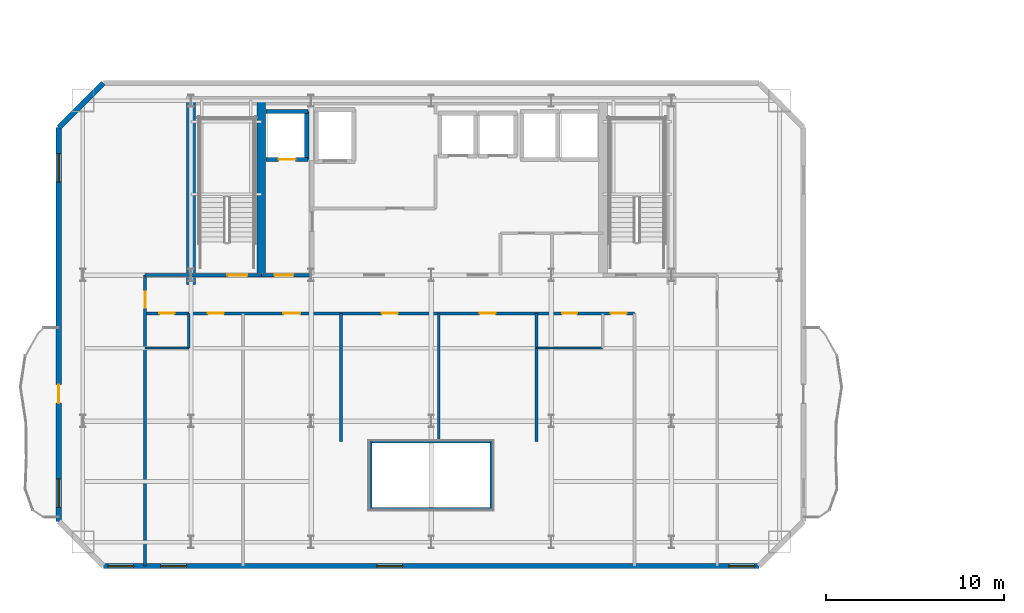
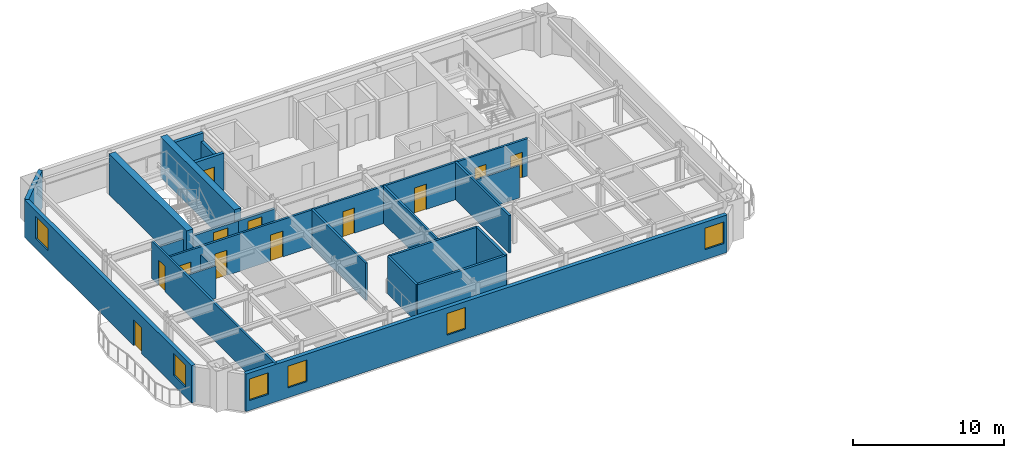
# One storey, part 5 of 13: 23 walls, 12 doors, 6 windows, 18 openings.
"""IFC4 building model written with IfcOpenShell, lengths in metres."""

from ifc_helpers import new_model, si_unit, direction, frame, frame_2d, origin, place, context, subcontext, project, spatial, rectangle, extrude, material, layer, layer_set, type_object, element, fill, save


model = new_model("IFC4")

# Units and contexts
model_context = context("Model", 3, precision=1e-05, world=origin(), true_north=direction((0.0, 1.0)))
body_context = subcontext(model_context, "Body", "Model", "MODEL_VIEW")
ifc_project = project(units=[si_unit("LENGTHUNIT", "METRE"), si_unit("AREAUNIT", "SQUARE_METRE"), si_unit("VOLUMEUNIT", "CUBIC_METRE"), si_unit("PLANEANGLEUNIT", "RADIAN"), si_unit("MASSUNIT", "GRAM", prefix="KILO")], contexts=[model_context])

# Site, building, storey
site_placement = place(None, origin())
site = spatial("IfcSite", under=ifc_project, at=site_placement, CompositionType="ELEMENT")
building_placement = place(site_placement, origin())
building = spatial("IfcBuilding", under=site, at=building_placement, Name="Haevon Station Towers", CompositionType="ELEMENT")
storey_placement = place(building_placement, frame((0.0, 0.0, 159.300048828125)))
storey = spatial("IfcBuildingStorey", under=building, at=storey_placement, Name="L43", CompositionType="ELEMENT", Elevation=159.300048828125)

# Walls
ifc_material_1 = material(Name="Gypsum board on steel stud", Category="steel")
ifc_layer_1 = layer(ifc_material_1, 0.179931640625)
ifc_layer_set_1 = layer_set([ifc_layer_1], Name="Gypsum board on steel stud")
wall_type_1 = type_object("IfcWallType", Name="WL-ACU180", PredefinedType="PARTITIONING", material=ifc_layer_set_1)
wall_1_placement = place(storey_placement, frame((34.10009765625, 25.050048828125, 0.0), z_axis=(0.0, 0.0, 1.0), x_axis=(1.0, 0.0, 0.0)))
element("IfcWall", 1, at=wall_1_placement, inside=storey, type_object=wall_type_1, Name="WL-T1PT-L43-06", PredefinedType="PARTITIONING", context=body_context, shape_type="SweptSolid", body=[
    extrude(rectangle(XDim=6.7998046875, YDim=0.179931640625, at=frame_2d((3.39990234375, 0.0))), origin(), (0.0, 0.0, 1.0), 3.030029296875),
])
wall_2_placement = place(storey_placement, frame((40.89990234375, 25.050048828125, 0.0), z_axis=(0.0, 0.0, 1.0), x_axis=(0.0, 1.0, 0.0)))
element("IfcWall", 2, at=wall_2_placement, inside=storey, type_object=wall_type_1, Name="WL-T1PT-L43-09", PredefinedType="PARTITIONING", context=body_context, shape_type="SweptSolid", body=[
    extrude(rectangle(XDim=3.800048828125, YDim=0.179931640625, at=frame_2d((1.89990234375, 0.0))), origin(), (0.0, 0.0, 1.0), 3.030029296875),
])

# Wall, opening, door
ifc_layer_2 = layer(ifc_material_1, 0.199951171875)
ifc_layer_set_2 = layer_set([ifc_layer_2], Name="Gypsum board on steel stud")
wall_type_2 = type_object("IfcWallType", Name="WL-COR200", PredefinedType="PARTITIONING", material=ifc_layer_set_2)
wall_3_placement = place(storey_placement, frame((24.0, 38.199951171875, 0.0), z_axis=(0.0, 0.0, 1.0), x_axis=(1.0, 0.0, 0.0)))
wall_3 = element("IfcWall", 3, at=wall_3_placement, inside=storey, type_object=wall_type_2, Name="WL-ST-ST1-L43", PredefinedType="PARTITIONING", context=body_context, shape_type="SweptSolid", body=[
    extrude(rectangle(XDim=3.949951171875, YDim=0.199951171875, at=frame_2d((1.97509765625, 0.0))), origin(), (0.0, 0.0, 1.0), 2.3798828125),
])
opening_1_placement = place(wall_3_placement, frame((2.050048828125, 0.0, 0.0)))
opening_1 = element("IfcOpeningElement", 4, at=opening_1_placement, cuts=wall_3, Name="Opening DR-ST-ST1-L43", PredefinedType="OPENING", context=body_context, shape_type="SweptSolid", body=[
    extrude(rectangle(XDim=1.1201171875, YDim=2.10009765625, at=frame_2d((0.56005859375, 1.050048828125))), frame((0.0, 0.10986328125, 0.0), z_axis=(0.0, -1.0, 0.0), x_axis=(1.0, 0.0, 0.0)), (0.0, 0.0, 1.0), 0.219970703125),
])
ifc_material_2 = material(Name="Engineered oak timber", Category="wood")
door_type_1 = type_object("IfcDoorType", Name="DR-ST-1120", OperationType="NOTDEFINED", PredefinedType="DOOR", material=ifc_material_2)
door_1_placement = place(opening_1_placement, origin())
door_1 = element("IfcDoor", 5, at=door_1_placement, inside=storey, type_object=door_type_1, Name="L43 Escape Stair ST1 Fire Door", OperationType="SINGLE_SWING_LEFT", OverallHeight=2.10009765625, OverallWidth=1.1201171875, PredefinedType="DOOR", context=body_context, shape_type="SweptSolid", body=[
    extrude(rectangle(XDim=1.1201171875, YDim=2.10009765625, at=frame_2d((0.56005859375, 1.050048828125))), frame((0.0, 0.02490234375, 0.0), z_axis=(0.0, -1.0, 0.0), x_axis=(1.0, 0.0, 0.0)), (0.0, 0.0, 1.0), 0.050048828125),
])
fill(opening_1, door_1)

wall_4_placement = place(storey_placement, frame((27.949951171875, 38.199951171875, 0.0), z_axis=(0.0, 0.0, 1.0), x_axis=(1.0, 0.0, 0.0)))
wall_4 = element("IfcWall", 6, at=wall_4_placement, inside=storey, type_object=wall_type_2, Name="WL-T1FFL-L43-S", PredefinedType="PARTITIONING", context=body_context, shape_type="SweptSolid", body=[
    extrude(rectangle(XDim=2.85009765625, YDim=0.199951171875, at=frame_2d((1.425048828125, 0.0))), origin(), (0.0, 0.0, 1.0), 2.3798828125),
])
opening_2_placement = place(wall_4_placement, frame((0.75, 0.0, 0.0)))
opening_2 = element("IfcOpeningElement", 7, at=opening_2_placement, cuts=wall_4, Name="Opening DR-T1FFL-L43-S", PredefinedType="OPENING", context=body_context, shape_type="SweptSolid", body=[
    extrude(rectangle(XDim=1.050048828125, YDim=2.10009765625, at=frame_2d((0.52490234375, 1.050048828125))), frame((0.0, 0.10986328125, 0.0), z_axis=(0.0, -1.0, 0.0), x_axis=(1.0, 0.0, 0.0)), (0.0, 0.0, 1.0), 0.219970703125),
])
door_type_2 = type_object("IfcDoorType", Name="DR-FD60-1050", OperationType="NOTDEFINED", PredefinedType="DOOR", material=ifc_material_2)
door_2_placement = place(opening_2_placement, origin())
door_2 = element("IfcDoor", 8, at=door_2_placement, inside=storey, type_object=door_type_2, Name="L43 Tower 1 Firefighting Lift Lobby Door S", OperationType="SINGLE_SWING_RIGHT", OverallHeight=2.10009765625, OverallWidth=1.050048828125, PredefinedType="DOOR", context=body_context, shape_type="SweptSolid", body=[
    extrude(rectangle(XDim=1.050048828125, YDim=2.10009765625, at=frame_2d((0.52490234375, 1.050048828125))), frame((0.0, 0.02490234375, 0.0), z_axis=(0.0, -1.0, 0.0), x_axis=(1.0, 0.0, 0.0)), (0.0, 0.0, 1.0), 0.050048828125),
])
fill(opening_2, door_2)

# Walls
ifc_material_3 = material(Name="Concrete C60/75", Category="concrete")
ifc_layer_3 = layer(ifc_material_3, 0.5)
ifc_layer_set_3 = layer_set([ifc_layer_3], Name="Concrete C60/75")
wall_type_3 = type_object("IfcWallType", Name="WL-CR500", PredefinedType="SHEAR", material=ifc_layer_set_3)
wall_5_placement = place(storey_placement, frame((24.0, 37.679931640625, 0.0), z_axis=(0.0, 0.0, 1.0), x_axis=(0.0, 1.0, 0.0)))
element("IfcWall", 9, at=wall_5_placement, inside=storey, type_object=wall_type_3, Name="WL-T1CR-L43-W", PredefinedType="SHEAR", context=body_context, shape_type="SweptSolid", body=[
    extrude(rectangle(XDim=10.320068359375, YDim=0.5, at=frame_2d((5.16015625, 0.0))), origin(), (0.0, 0.0, 1.0), 3.300048828125),
])
wall_6_placement = place(storey_placement, frame((27.949951171875, 38.199951171875, 0.0), z_axis=(0.0, 0.0, 1.0), x_axis=(0.0, 1.0, 0.0)))
element("IfcWall", 10, at=wall_6_placement, inside=storey, type_object=wall_type_3, Name="WL-T1CR-L43-M1", PredefinedType="SHEAR", context=body_context, shape_type="SweptSolid", body=[
    extrude(rectangle(XDim=9.800048828125, YDim=0.5, at=frame_2d((4.89990234375, 0.0))), origin(), (0.0, 0.0, 1.0), 3.300048828125),
])

# Wall, openings, windows
ifc_material_4 = material(Name="Precast concrete C45/55", Category="concrete")
ifc_layer_4 = layer(ifc_material_4, 0.300048828125)
ifc_layer_set_4 = layer_set([ifc_layer_4], Name="Precast concrete C45/55")
wall_type_4 = type_object("IfcWallType", Name="WL-EXT-PIER300", PredefinedType="SOLIDWALL", material=ifc_layer_set_4)
wall_7_placement = place(storey_placement, frame((55.925048828125, 21.85009765625, 0.0), z_axis=(0.0, 0.0, 1.0), x_axis=(-1.0, 0.0, 0.0)))
wall_7 = element("IfcWall", 11, at=wall_7_placement, inside=storey, type_object=wall_type_4, Name="WL-T1-L43-S", PredefinedType="SOLIDWALL", context=body_context, shape_type="SweptSolid", body=[
    extrude(rectangle(XDim=36.85009765625, YDim=0.300048828125, at=frame_2d((18.425048828125, 0.0))), origin(), (0.0, 0.0, 1.0), 3.030029296875),
])
opening_3_placement = place(wall_7_placement, frame((35.14990234375, 0.0, 0.800048828125)))
opening_3 = element("IfcOpeningElement", 12, at=opening_3_placement, cuts=wall_7, Name="Opening WN-P145", PredefinedType="OPENING", context=body_context, shape_type="SweptSolid", body=[
    extrude(rectangle(XDim=1.449951171875, YDim=1.75, at=frame_2d((0.72509765625, 0.875))), frame((0.0, 0.159912109375, 0.0), z_axis=(0.0, -1.0, 0.0), x_axis=(1.0, 0.0, 0.0)), (0.0, 0.0, 1.0), 0.320068359375),
])
opening_4_placement = place(wall_7_placement, frame((0.25, 0.0, 0.800048828125)))
opening_4 = element("IfcOpeningElement", 13, at=opening_4_placement, cuts=wall_7, Name="Opening WN-P145", PredefinedType="OPENING", context=body_context, shape_type="SweptSolid", body=[
    extrude(rectangle(XDim=1.449951171875, YDim=1.75, at=frame_2d((0.72509765625, 0.875))), frame((0.0, 0.159912109375, 0.0), z_axis=(0.0, -1.0, 0.0), x_axis=(1.0, 0.0, 0.0)), (0.0, 0.0, 1.0), 0.320068359375),
])
opening_5_placement = place(wall_7_placement, frame((32.176513671875, 0.0, 0.800048828125)))
opening_5 = element("IfcOpeningElement", 14, at=opening_5_placement, cuts=wall_7, Name="Opening WN-P145", PredefinedType="OPENING", context=body_context, shape_type="SweptSolid", body=[
    extrude(rectangle(XDim=1.449951171875, YDim=1.75, at=frame_2d((0.72509765625, 0.875))), frame((0.0, 0.159912109375, 0.0), z_axis=(0.0, -1.0, 0.0), x_axis=(1.0, 0.0, 0.0)), (0.0, 0.0, 1.0), 0.320068359375),
])
opening_6_placement = place(wall_7_placement, frame((20.027587890625, 0.0, 0.800048828125)))
opening_6 = element("IfcOpeningElement", 15, at=opening_6_placement, cuts=wall_7, Name="Opening WN-P145", PredefinedType="OPENING", context=body_context, shape_type="SweptSolid", body=[
    extrude(rectangle(XDim=1.449951171875, YDim=1.75, at=frame_2d((0.72509765625, 0.875))), frame((0.0, 0.159912109375, 0.0), z_axis=(0.0, -1.0, 0.0), x_axis=(1.0, 0.0, 0.0)), (0.0, 0.0, 1.0), 0.320068359375),
])
ifc_material_5 = material(Name="Low-E triple glazing in thermally broken aluminium", Category="aluminium")
window_type_1 = type_object("IfcWindowType", Name="WN-P145", PartitioningType="SINGLE_PANEL", PredefinedType="WINDOW", material=ifc_material_5)
window_1_placement = place(opening_3_placement, origin())
window_1 = element("IfcWindow", 16, at=window_1_placement, inside=storey, type_object=window_type_1, Name="WN-T1-L43-S01", OverallHeight=1.75, OverallWidth=1.449951171875, PartitioningType="SINGLE_PANEL", PredefinedType="WINDOW", context=body_context, shape_type="SweptSolid", body=[
    extrude(rectangle(XDim=1.449951171875, YDim=1.75, at=frame_2d((0.72509765625, 0.875))), frame((0.0, 0.030029296875, 0.0), z_axis=(0.0, -1.0, 0.0), x_axis=(1.0, 0.0, 0.0)), (0.0, 0.0, 1.0), 0.06005859375),
])
fill(opening_3, window_1)
window_2_placement = place(opening_4_placement, origin())
window_2 = element("IfcWindow", 17, at=window_2_placement, inside=storey, type_object=window_type_1, Name="WN-T1-L43-S02", OverallHeight=1.75, OverallWidth=1.449951171875, PartitioningType="SINGLE_PANEL", PredefinedType="WINDOW", context=body_context, shape_type="SweptSolid", body=[
    extrude(rectangle(XDim=1.449951171875, YDim=1.75, at=frame_2d((0.72509765625, 0.875))), frame((0.0, 0.030029296875, 0.0), z_axis=(0.0, -1.0, 0.0), x_axis=(1.0, 0.0, 0.0)), (0.0, 0.0, 1.0), 0.06005859375),
])
fill(opening_4, window_2)
window_3_placement = place(opening_5_placement, origin())
window_3 = element("IfcWindow", 18, at=window_3_placement, inside=storey, type_object=window_type_1, Name="WN-T1-L43-S03", OverallHeight=1.75, OverallWidth=1.449951171875, PartitioningType="SINGLE_PANEL", PredefinedType="WINDOW", context=body_context, shape_type="SweptSolid", body=[
    extrude(rectangle(XDim=1.449951171875, YDim=1.75, at=frame_2d((0.72509765625, 0.875))), frame((0.0, 0.030029296875, 0.0), z_axis=(0.0, -1.0, 0.0), x_axis=(1.0, 0.0, 0.0)), (0.0, 0.0, 1.0), 0.06005859375),
])
fill(opening_5, window_3)
window_4_placement = place(opening_6_placement, origin())
window_4 = element("IfcWindow", 19, at=window_4_placement, inside=storey, type_object=window_type_1, Name="WN-T1-L43-S04", OverallHeight=1.75, OverallWidth=1.449951171875, PartitioningType="SINGLE_PANEL", PredefinedType="WINDOW", context=body_context, shape_type="SweptSolid", body=[
    extrude(rectangle(XDim=1.449951171875, YDim=1.75, at=frame_2d((0.72509765625, 0.875))), frame((0.0, 0.030029296875, 0.0), z_axis=(0.0, -1.0, 0.0), x_axis=(1.0, 0.0, 0.0)), (0.0, 0.0, 1.0), 0.06005859375),
])
fill(opening_6, window_4)

# Wall, openings, door, windows
wall_8_placement = place(storey_placement, frame((16.574951171875, 24.35009765625, 0.0), z_axis=(0.0, 0.0, 1.0), x_axis=(0.0, 1.0, 0.0)))
wall_8 = element("IfcWall", 20, at=wall_8_placement, inside=storey, type_object=wall_type_4, Name="WL-T1-L43-W", PredefinedType="SOLIDWALL", context=body_context, shape_type="SweptSolid", body=[
    extrude(rectangle(XDim=22.14990234375, YDim=0.300048828125, at=frame_2d((11.074951171875, 0.0))), origin(), (0.0, 0.0, 1.0), 3.030029296875),
])
opening_7_placement = place(wall_8_placement, frame((6.64990234375, 0.0, 0.0)))
opening_7 = element("IfcOpeningElement", 21, at=opening_7_placement, cuts=wall_8, Name="Opening DR-T1-SCAL-L43-W", PredefinedType="OPENING", context=body_context, shape_type="SweptSolid", body=[
    extrude(rectangle(XDim=1.050048828125, YDim=2.10009765625, at=frame_2d((0.52490234375, 1.050048828125))), frame((0.0, 0.159912109375, 0.0), z_axis=(0.0, -1.0, 0.0), x_axis=(1.0, 0.0, 0.0)), (0.0, 0.0, 1.0), 0.320068359375),
])
opening_8_placement = place(wall_8_placement, frame((0.800048828125, 0.0, 0.800048828125)))
opening_8 = element("IfcOpeningElement", 22, at=opening_8_placement, cuts=wall_8, Name="Opening WN-END160", PredefinedType="OPENING", context=body_context, shape_type="SweptSolid", body=[
    extrude(rectangle(XDim=1.60009765625, YDim=1.800048828125, at=frame_2d((0.800048828125, 0.89990234375))), frame((0.0, 0.159912109375, 0.0), z_axis=(0.0, -1.0, 0.0), x_axis=(1.0, 0.0, 0.0)), (0.0, 0.0, 1.0), 0.320068359375),
])
opening_9_placement = place(wall_8_placement, frame((19.0732421875, 0.0, 0.800048828125)))
opening_9 = element("IfcOpeningElement", 23, at=opening_9_placement, cuts=wall_8, Name="Opening WN-END160", PredefinedType="OPENING", context=body_context, shape_type="SweptSolid", body=[
    extrude(rectangle(XDim=1.60009765625, YDim=1.800048828125, at=frame_2d((0.800048828125, 0.89990234375))), frame((0.0, 0.159912109375, 0.0), z_axis=(0.0, -1.0, 0.0), x_axis=(1.0, 0.0, 0.0)), (0.0, 0.0, 1.0), 0.320068359375),
])
ifc_material_6 = material(Name="Thermally broken anodised aluminium and laminated safety glass", Category="aluminium")
door_type_3 = type_object("IfcDoorType", Name="DR-BALC-1050", OperationType="NOTDEFINED", PredefinedType="DOOR", material=ifc_material_6)
door_3_placement = place(opening_7_placement, origin())
door_3 = element("IfcDoor", 24, at=door_3_placement, inside=storey, type_object=door_type_3, Name="Tower 1 L43 West Scalloped Balcony Door", OperationType="SINGLE_SWING_LEFT", OverallHeight=2.10009765625, OverallWidth=1.050048828125, PredefinedType="DOOR", context=body_context, shape_type="SweptSolid", body=[
    extrude(rectangle(XDim=1.050048828125, YDim=2.10009765625, at=frame_2d((0.52490234375, 1.050048828125))), frame((0.0, 0.02490234375, 0.0), z_axis=(0.0, -1.0, 0.0), x_axis=(1.0, 0.0, 0.0)), (0.0, 0.0, 1.0), 0.050048828125),
])
fill(opening_7, door_3)
window_type_2 = type_object("IfcWindowType", Name="WN-END160", PartitioningType="SINGLE_PANEL", PredefinedType="WINDOW", material=ifc_material_5)
window_5_placement = place(opening_8_placement, origin())
window_5 = element("IfcWindow", 25, at=window_5_placement, inside=storey, type_object=window_type_2, Name="WN-T1-L43-W01", OverallHeight=1.800048828125, OverallWidth=1.60009765625, PartitioningType="SINGLE_PANEL", PredefinedType="WINDOW", context=body_context, shape_type="SweptSolid", body=[
    extrude(rectangle(XDim=1.60009765625, YDim=1.800048828125, at=frame_2d((0.800048828125, 0.89990234375))), frame((0.0, 0.030029296875, 0.0), z_axis=(0.0, -1.0, 0.0), x_axis=(1.0, 0.0, 0.0)), (0.0, 0.0, 1.0), 0.06005859375),
])
fill(opening_8, window_5)
window_6_placement = place(opening_9_placement, origin())
window_6 = element("IfcWindow", 26, at=window_6_placement, inside=storey, type_object=window_type_2, Name="WN-T1-L43-W02", OverallHeight=1.800048828125, OverallWidth=1.60009765625, PartitioningType="SINGLE_PANEL", PredefinedType="WINDOW", context=body_context, shape_type="SweptSolid", body=[
    extrude(rectangle(XDim=1.60009765625, YDim=1.800048828125, at=frame_2d((0.800048828125, 0.89990234375))), frame((0.0, 0.030029296875, 0.0), z_axis=(0.0, -1.0, 0.0), x_axis=(1.0, 0.0, 0.0)), (0.0, 0.0, 1.0), 0.06005859375),
])
fill(opening_9, window_6)

# Walls
wall_9_placement = place(storey_placement, frame((16.574951171875, 46.5, 0.0), z_axis=(0.0, 0.0, 1.0), x_axis=(0.707106781187, 0.707106781187, 0.0)))
element("IfcWall", 27, at=wall_9_placement, inside=storey, type_object=wall_type_4, Name="WL-T1-L43-NWC", PredefinedType="SOLIDWALL", context=body_context, shape_type="SweptSolid", body=[
    extrude(rectangle(XDim=3.53564453125, YDim=0.300048828125, at=frame_2d((1.767822265625, 0.0))), origin(), (0.0, 0.0, 1.0), 3.030029296875),
])
ifc_layer_5 = layer(ifc_material_1, 0.125)
ifc_layer_set_5 = layer_set([ifc_layer_5], Name="Gypsum board on steel stud")
wall_type_5 = type_object("IfcWallType", Name="WL-PRT125", PredefinedType="PARTITIONING", material=ifc_layer_set_5)
wall_10_placement = place(storey_placement, frame((21.425048828125, 34.10009765625, 0.0), z_axis=(0.0, 0.0, 1.0), x_axis=(1.0, 0.0, 0.0)))
element("IfcWall", 28, at=wall_10_placement, inside=storey, type_object=wall_type_5, Name="WL-T1PT-L43-10", PredefinedType="PARTITIONING", context=body_context, shape_type="SweptSolid", body=[
    extrude(rectangle(XDim=2.449951171875, YDim=0.125, at=frame_2d((1.22509765625, 0.0))), origin(), (0.0, 0.0, 1.0), 2.6298828125),
])
wall_11_placement = place(storey_placement, frame((23.875, 34.10009765625, 0.0), z_axis=(0.0, 0.0, 1.0), x_axis=(0.0, 1.0, 0.0)))
element("IfcWall", 29, at=wall_11_placement, inside=storey, type_object=wall_type_5, Name="WL-T1PT-L43-11", PredefinedType="PARTITIONING", context=body_context, shape_type="SweptSolid", body=[
    extrude(rectangle(XDim=1.949951171875, YDim=0.125, at=frame_2d((0.97509765625, 0.0))), origin(), (0.0, 0.0, 1.0), 2.3798828125),
])
wall_12_placement = place(storey_placement, frame((43.4208984375, 34.10009765625, 0.0), z_axis=(0.0, 0.0, 1.0), x_axis=(1.0, 0.0, 0.0)))
element("IfcWall", 30, at=wall_12_placement, inside=storey, type_object=wall_type_5, Name="WL-T1PT-L43-18", PredefinedType="PARTITIONING", context=body_context, shape_type="SweptSolid", body=[
    extrude(rectangle(XDim=3.718994140625, YDim=0.125, at=frame_2d((1.859375, 0.0))), origin(), (0.0, 0.0, 1.0), 2.6298828125),
])
ifc_layer_6 = layer(ifc_material_1, 0.159912109375)
ifc_layer_set_6 = layer_set([ifc_layer_6], Name="Gypsum board on steel stud")
wall_type_6 = type_object("IfcWallType", Name="WL-PRT160", PredefinedType="PARTITIONING", material=ifc_layer_set_6)
wall_13_placement = place(storey_placement, frame((21.425048828125, 38.199951171875, 0.0), z_axis=(0.0, 0.0, 1.0), x_axis=(1.0, 0.0, 0.0)))
element("IfcWall", 31, at=wall_13_placement, inside=storey, type_object=wall_type_6, Name="WL-T1PT-L43-02", PredefinedType="PARTITIONING", context=body_context, shape_type="SweptSolid", body=[
    extrude(rectangle(XDim=2.574951171875, YDim=0.159912109375, at=frame_2d((1.28759765625, 0.0))), origin(), (0.0, 0.0, 1.0), 2.3798828125),
])

# Wall, opening, door
wall_14_placement = place(storey_placement, frame((21.425048828125, 21.85009765625, 0.0), z_axis=(0.0, 0.0, 1.0), x_axis=(0.0, 1.0, 0.0)))
wall_14 = element("IfcWall", 32, at=wall_14_placement, inside=storey, type_object=wall_type_6, Name="WL-T1PT-L43-04", PredefinedType="PARTITIONING", context=body_context, shape_type="SweptSolid", body=[
    extrude(rectangle(XDim=16.349853515625, YDim=0.159912109375, at=frame_2d((8.1748046875, 0.0))), origin(), (0.0, 0.0, 1.0), 3.030029296875),
])
opening_10_placement = place(wall_14_placement, frame((14.52001953125, 0.0, 0.0)))
opening_10 = element("IfcOpeningElement", 33, at=opening_10_placement, cuts=wall_14, Name="Opening DR-WL-T1PT-L43-04-01", PredefinedType="OPENING", context=body_context, shape_type="SweptSolid", body=[
    extrude(rectangle(XDim=0.89990234375, YDim=2.050048828125, at=frame_2d((0.449951171875, 1.02490234375))), frame((0.0, 0.08984375, 0.0), z_axis=(0.0, -1.0, 0.0), x_axis=(1.0, 0.0, 0.0)), (0.0, 0.0, 1.0), 0.179931640625),
])
door_type_4 = type_object("IfcDoorType", Name="DR-INT-900", OperationType="NOTDEFINED", PredefinedType="DOOR", material=ifc_material_2)
door_4_placement = place(opening_10_placement, origin())
door_4 = element("IfcDoor", 34, at=door_4_placement, inside=storey, type_object=door_type_4, Name="L43 Tower 1 Room Door 4-1", OperationType="SINGLE_SWING_RIGHT", OverallHeight=2.050048828125, OverallWidth=0.89990234375, PredefinedType="DOOR", context=body_context, shape_type="SweptSolid", body=[
    extrude(rectangle(XDim=0.89990234375, YDim=2.050048828125, at=frame_2d((0.449951171875, 1.02490234375))), frame((0.0, 0.02490234375, 0.0), z_axis=(0.0, -1.0, 0.0), x_axis=(1.0, 0.0, 0.0)), (0.0, 0.0, 1.0), 0.050048828125),
])
fill(opening_10, door_4)

# Walls
wall_15_placement = place(storey_placement, frame((34.10009765625, 28.85009765625, 0.0), z_axis=(0.0, 0.0, 1.0), x_axis=(1.0, 0.0, 0.0)))
element("IfcWall", 35, at=wall_15_placement, inside=storey, type_object=wall_type_6, Name="WL-T1PT-L43-07", PredefinedType="PARTITIONING", context=body_context, shape_type="SweptSolid", body=[
    extrude(rectangle(XDim=6.7998046875, YDim=0.159912109375, at=frame_2d((3.39990234375, 0.0))), origin(), (0.0, 0.0, 1.0), 3.030029296875),
])
wall_16_placement = place(storey_placement, frame((34.10009765625, 25.050048828125, 0.0), z_axis=(0.0, 0.0, 1.0), x_axis=(0.0, 1.0, 0.0)))
element("IfcWall", 36, at=wall_16_placement, inside=storey, type_object=wall_type_6, Name="WL-T1PT-L43-08", PredefinedType="PARTITIONING", context=body_context, shape_type="SweptSolid", body=[
    extrude(rectangle(XDim=3.800048828125, YDim=0.159912109375, at=frame_2d((1.89990234375, 0.0))), origin(), (0.0, 0.0, 1.0), 3.030029296875),
])
for number, where, z_axis, x_axis, name in (
    (37, (32.423095703125, 28.85009765625, 0.0), (0.0, 0.0, 1.0), (0.0, 1.0, 0.0), "WL-T1PT-L43-13"),
    (38, (37.922119140625, 28.85009765625, 0.0), (0.0, 0.0, 1.0), (0.0, 1.0, 0.0), "WL-T1PT-L43-14"),
    (39, (43.4208984375, 28.85009765625, 0.0), (0.0, 0.0, 1.0), (0.0, 1.0, 0.0), "WL-T1PT-L43-16"),
):
    element("IfcWall", number, at=place(storey_placement, frame(where, z_axis=z_axis, x_axis=x_axis)), inside=storey, type_object=wall_type_6, Name=name, PredefinedType="PARTITIONING", context=body_context, shape_type="SweptSolid", body=[
        extrude(rectangle(XDim=7.199951171875, YDim=0.159912109375, at=frame_2d((3.60009765625, 0.0))), origin(), (0.0, 0.0, 1.0), 3.030029296875),
    ])

# Wall, openings, doors
wall_17_placement = place(storey_placement, frame((21.425048828125, 36.050048828125, 0.0), z_axis=(0.0, 0.0, 1.0), x_axis=(1.0, 0.0, 0.0)))
wall_17 = element("IfcWall", 40, at=wall_17_placement, inside=storey, type_object=wall_type_6, Name="WL-T1PT-L43-20", PredefinedType="PARTITIONING", context=body_context, shape_type="SweptSolid", body=[
    extrude(rectangle(XDim=27.494873046875, YDim=0.159912109375, at=frame_2d((13.74755859375, 0.0))), origin(), (0.0, 0.0, 1.0), 3.030029296875),
])
opening_11_placement = place(wall_17_placement, frame((0.800048828125, 0.0, 0.0)))
opening_11 = element("IfcOpeningElement", 41, at=opening_11_placement, cuts=wall_17, Name="Opening DR-WL-T1PT-L43-20-01", PredefinedType="OPENING", context=body_context, shape_type="SweptSolid", body=[
    extrude(rectangle(XDim=0.85009765625, YDim=2.050048828125, at=frame_2d((0.425048828125, 1.02490234375))), frame((0.0, 0.08984375, 0.0), z_axis=(0.0, -1.0, 0.0), x_axis=(1.0, 0.0, 0.0)), (0.0, 0.0, 1.0), 0.179931640625),
])
opening_12_placement = place(wall_17_placement, frame((3.52392578125, 0.0, 0.0)))
opening_12 = element("IfcOpeningElement", 42, at=opening_12_placement, cuts=wall_17, Name="Opening DR-WL-T1PT-L43-20-02", PredefinedType="OPENING", context=body_context, shape_type="SweptSolid", body=[
    extrude(rectangle(XDim=0.89990234375, YDim=2.050048828125, at=frame_2d((0.449951171875, 1.02490234375))), frame((0.0, 0.08984375, 0.0), z_axis=(0.0, -1.0, 0.0), x_axis=(1.0, 0.0, 0.0)), (0.0, 0.0, 1.0), 0.179931640625),
])
opening_13_placement = place(wall_17_placement, frame((7.77392578125, 0.0, 0.0)))
opening_13 = element("IfcOpeningElement", 43, at=opening_13_placement, cuts=wall_17, Name="Opening DR-WL-T1PT-L43-20-03", PredefinedType="OPENING", context=body_context, shape_type="SweptSolid", body=[
    extrude(rectangle(XDim=0.949951171875, YDim=2.10009765625, at=frame_2d((0.47509765625, 1.050048828125))), frame((0.0, 0.08984375, 0.0), z_axis=(0.0, -1.0, 0.0), x_axis=(1.0, 0.0, 0.0)), (0.0, 0.0, 1.0), 0.179931640625),
])
opening_14_placement = place(wall_17_placement, frame((13.297119140625, 0.0, 0.0)))
opening_14 = element("IfcOpeningElement", 44, at=opening_14_placement, cuts=wall_17, Name="Opening DR-WL-T1PT-L43-20-04", PredefinedType="OPENING", context=body_context, shape_type="SweptSolid", body=[
    extrude(rectangle(XDim=0.89990234375, YDim=2.050048828125, at=frame_2d((0.449951171875, 1.02490234375))), frame((0.0, 0.08984375, 0.0), z_axis=(0.0, -1.0, 0.0), x_axis=(1.0, 0.0, 0.0)), (0.0, 0.0, 1.0), 0.179931640625),
])
opening_15_placement = place(wall_17_placement, frame((18.7958984375, 0.0, 0.0)))
opening_15 = element("IfcOpeningElement", 45, at=opening_15_placement, cuts=wall_17, Name="Opening DR-WL-T1PT-L43-20-05", PredefinedType="OPENING", context=body_context, shape_type="SweptSolid", body=[
    extrude(rectangle(XDim=0.89990234375, YDim=2.050048828125, at=frame_2d((0.449951171875, 1.02490234375))), frame((0.0, 0.08984375, 0.0), z_axis=(0.0, -1.0, 0.0), x_axis=(1.0, 0.0, 0.0)), (0.0, 0.0, 1.0), 0.179931640625),
])
opening_16_placement = place(wall_17_placement, frame((23.430908203125, 0.0, 0.0)))
opening_16 = element("IfcOpeningElement", 46, at=opening_16_placement, cuts=wall_17, Name="Opening DR-WL-T1PT-L43-20-06", PredefinedType="OPENING", context=body_context, shape_type="SweptSolid", body=[
    extrude(rectangle(XDim=0.85009765625, YDim=2.050048828125, at=frame_2d((0.425048828125, 1.02490234375))), frame((0.0, 0.08984375, 0.0), z_axis=(0.0, -1.0, 0.0), x_axis=(1.0, 0.0, 0.0)), (0.0, 0.0, 1.0), 0.179931640625),
])
opening_17_placement = place(wall_17_placement, frame((26.155029296875, 0.0, 0.0)))
opening_17 = element("IfcOpeningElement", 47, at=opening_17_placement, cuts=wall_17, Name="Opening DR-WL-T1PT-L43-20-07", PredefinedType="OPENING", context=body_context, shape_type="SweptSolid", body=[
    extrude(rectangle(XDim=0.89990234375, YDim=2.050048828125, at=frame_2d((0.449951171875, 1.02490234375))), frame((0.0, 0.08984375, 0.0), z_axis=(0.0, -1.0, 0.0), x_axis=(1.0, 0.0, 0.0)), (0.0, 0.0, 1.0), 0.179931640625),
])
door_type_5 = type_object("IfcDoorType", Name="DR-FD30-850", OperationType="NOTDEFINED", PredefinedType="DOOR", material=ifc_material_2)
door_5_placement = place(opening_11_placement, origin())
door_5 = element("IfcDoor", 48, at=door_5_placement, inside=storey, type_object=door_type_5, Name="L43 Tower 1 Room Door 20-1", OperationType="SINGLE_SWING_RIGHT", OverallHeight=2.050048828125, OverallWidth=0.85009765625, PredefinedType="DOOR", context=body_context, shape_type="SweptSolid", body=[
    extrude(rectangle(XDim=0.85009765625, YDim=2.050048828125, at=frame_2d((0.425048828125, 1.02490234375))), frame((0.0, 0.02490234375, 0.0), z_axis=(0.0, -1.0, 0.0), x_axis=(1.0, 0.0, 0.0)), (0.0, 0.0, 1.0), 0.050048828125),
])
fill(opening_11, door_5)
door_6_placement = place(opening_16_placement, origin())
door_6 = element("IfcDoor", 49, at=door_6_placement, inside=storey, type_object=door_type_5, Name="L43 Tower 1 Room Door 20-6", OperationType="SINGLE_SWING_LEFT", OverallHeight=2.050048828125, OverallWidth=0.85009765625, PredefinedType="DOOR", context=body_context, shape_type="SweptSolid", body=[
    extrude(rectangle(XDim=0.85009765625, YDim=2.050048828125, at=frame_2d((0.425048828125, 1.02490234375))), frame((0.0, 0.02490234375, 0.0), z_axis=(0.0, -1.0, 0.0), x_axis=(1.0, 0.0, 0.0)), (0.0, 0.0, 1.0), 0.050048828125),
])
fill(opening_16, door_6)
door_type_6 = type_object("IfcDoorType", Name="DR-FD30-950", OperationType="NOTDEFINED", PredefinedType="DOOR", material=ifc_material_2)
door_7_placement = place(opening_13_placement, origin())
door_7 = element("IfcDoor", 50, at=door_7_placement, inside=storey, type_object=door_type_6, Name="L43 Tower 1 Room Door 20-3", OperationType="SINGLE_SWING_RIGHT", OverallHeight=2.10009765625, OverallWidth=0.949951171875, PredefinedType="DOOR", context=body_context, shape_type="SweptSolid", body=[
    extrude(rectangle(XDim=0.949951171875, YDim=2.10009765625, at=frame_2d((0.47509765625, 1.050048828125))), frame((0.0, 0.02490234375, 0.0), z_axis=(0.0, -1.0, 0.0), x_axis=(1.0, 0.0, 0.0)), (0.0, 0.0, 1.0), 0.050048828125),
])
fill(opening_13, door_7)
door_8_placement = place(opening_12_placement, origin())
door_8 = element("IfcDoor", 51, at=door_8_placement, inside=storey, type_object=door_type_4, Name="L43 Tower 1 Room Door 20-2", OperationType="SINGLE_SWING_LEFT", OverallHeight=2.050048828125, OverallWidth=0.89990234375, PredefinedType="DOOR", context=body_context, shape_type="SweptSolid", body=[
    extrude(rectangle(XDim=0.89990234375, YDim=2.050048828125, at=frame_2d((0.449951171875, 1.02490234375))), frame((0.0, 0.02490234375, 0.0), z_axis=(0.0, -1.0, 0.0), x_axis=(1.0, 0.0, 0.0)), (0.0, 0.0, 1.0), 0.050048828125),
])
fill(opening_12, door_8)
door_9_placement = place(opening_14_placement, origin())
door_9 = element("IfcDoor", 52, at=door_9_placement, inside=storey, type_object=door_type_4, Name="L43 Tower 1 Room Door 20-4", OperationType="SINGLE_SWING_LEFT", OverallHeight=2.050048828125, OverallWidth=0.89990234375, PredefinedType="DOOR", context=body_context, shape_type="SweptSolid", body=[
    extrude(rectangle(XDim=0.89990234375, YDim=2.050048828125, at=frame_2d((0.449951171875, 1.02490234375))), frame((0.0, 0.02490234375, 0.0), z_axis=(0.0, -1.0, 0.0), x_axis=(1.0, 0.0, 0.0)), (0.0, 0.0, 1.0), 0.050048828125),
])
fill(opening_14, door_9)
door_10_placement = place(opening_15_placement, origin())
door_10 = element("IfcDoor", 53, at=door_10_placement, inside=storey, type_object=door_type_4, Name="L43 Tower 1 Room Door 20-5", OperationType="SINGLE_SWING_RIGHT", OverallHeight=2.050048828125, OverallWidth=0.89990234375, PredefinedType="DOOR", context=body_context, shape_type="SweptSolid", body=[
    extrude(rectangle(XDim=0.89990234375, YDim=2.050048828125, at=frame_2d((0.449951171875, 1.02490234375))), frame((0.0, 0.02490234375, 0.0), z_axis=(0.0, -1.0, 0.0), x_axis=(1.0, 0.0, 0.0)), (0.0, 0.0, 1.0), 0.050048828125),
])
fill(opening_15, door_10)
door_11_placement = place(opening_17_placement, origin())
door_11 = element("IfcDoor", 54, at=door_11_placement, inside=storey, type_object=door_type_4, Name="L43 Tower 1 Room Door 20-7", OperationType="SINGLE_SWING_RIGHT", OverallHeight=2.050048828125, OverallWidth=0.89990234375, PredefinedType="DOOR", context=body_context, shape_type="SweptSolid", body=[
    extrude(rectangle(XDim=0.89990234375, YDim=2.050048828125, at=frame_2d((0.449951171875, 1.02490234375))), frame((0.0, 0.02490234375, 0.0), z_axis=(0.0, -1.0, 0.0), x_axis=(1.0, 0.0, 0.0)), (0.0, 0.0, 1.0), 0.050048828125),
])
fill(opening_17, door_11)

# Wall, opening, door
ifc_material_7 = material(Name="Concrete C40/50", Category="concrete")
ifc_layer_7 = layer(ifc_material_7, 0.239990234375)
ifc_layer_set_7 = layer_set([ifc_layer_7], Name="Concrete C40/50")
wall_type_7 = type_object("IfcWallType", Name="WL-SHF240", PredefinedType="PARTITIONING", material=ifc_layer_set_7)
wall_18_placement = place(storey_placement, frame((28.219970703125, 44.699951171875, 0.0), z_axis=(0.0, 0.0, 1.0), x_axis=(1.0, 0.0, 0.0)))
wall_18 = element("IfcWall", 55, at=wall_18_placement, inside=storey, type_object=wall_type_7, Name="WL-SHF-FL1-L43", PredefinedType="PARTITIONING", context=body_context, shape_type="SweptSolid", body=[
    extrude(rectangle(XDim=2.360107421875, YDim=0.239990234375, at=frame_2d((1.18017578125, 0.0))), origin(), (0.0, 0.0, 1.0), 3.030029296875),
])
opening_18_placement = place(wall_18_placement, frame((0.705078125, 0.0, 0.0)))
opening_18 = element("IfcOpeningElement", 56, at=opening_18_placement, cuts=wall_18, Name="Opening LD-FL1-L43", PredefinedType="OPENING", context=body_context, shape_type="SweptSolid", body=[
    extrude(rectangle(XDim=0.949951171875, YDim=2.14990234375, at=frame_2d((0.47509765625, 1.074951171875))), frame((0.0, 0.1298828125, 0.0), z_axis=(0.0, -1.0, 0.0), x_axis=(1.0, 0.0, 0.0)), (0.0, 0.0, 1.0), 0.260009765625),
])
ifc_material_8 = material(Name="Stainless steel and rated core", Category="steel")
door_type_7 = type_object("IfcDoorType", Name="LD-FL950", OperationType="SLIDING_TO_LEFT", PredefinedType="DOOR", material=ifc_material_8)
door_12_placement = place(opening_18_placement, origin())
door_12 = element("IfcDoor", 57, at=door_12_placement, inside=storey, type_object=door_type_7, Name="L43 Lift FL1 Sliding Landing Door", OperationType="SLIDING_TO_LEFT", OverallHeight=2.14990234375, OverallWidth=0.949951171875, PredefinedType="DOOR", context=body_context, shape_type="SweptSolid", body=[
    extrude(rectangle(XDim=0.949951171875, YDim=2.14990234375, at=frame_2d((0.47509765625, 1.074951171875))), frame((0.0, 0.02490234375, 0.0), z_axis=(0.0, -1.0, 0.0), x_axis=(1.0, 0.0, 0.0)), (0.0, 0.0, 1.0), 0.050048828125),
])
fill(opening_18, door_12)

# Walls
wall_19_placement = place(storey_placement, frame((28.219970703125, 47.39990234375, 0.0), z_axis=(0.0, 0.0, 1.0), x_axis=(1.0, 0.0, 0.0)))
element("IfcWall", 58, at=wall_19_placement, inside=storey, type_object=wall_type_7, Name="WL-SHF-FL1-L43-N", PredefinedType="PARTITIONING", context=body_context, shape_type="SweptSolid", body=[
    extrude(rectangle(XDim=2.360107421875, YDim=0.239990234375, at=frame_2d((1.18017578125, 0.0))), origin(), (0.0, 0.0, 1.0), 3.030029296875),
])
wall_20_placement = place(storey_placement, frame((30.5, 44.699951171875, 0.0), z_axis=(0.0, 0.0, 1.0), x_axis=(0.0, 1.0, 0.0)))
element("IfcWall", 59, at=wall_20_placement, inside=storey, type_object=wall_type_7, Name="WL-SHF-FL1-L43-E", PredefinedType="PARTITIONING", context=body_context, shape_type="SweptSolid", body=[
    extrude(rectangle(XDim=2.699951171875, YDim=0.239990234375, at=frame_2d((1.35009765625, 0.0))), origin(), (0.0, 0.0, 1.0), 2.3798828125),
])

save(model, "model.ifc")
